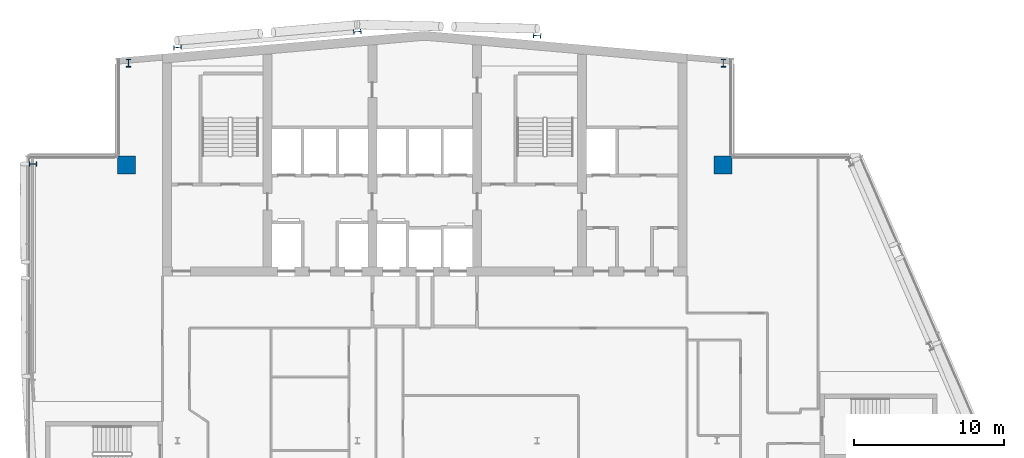
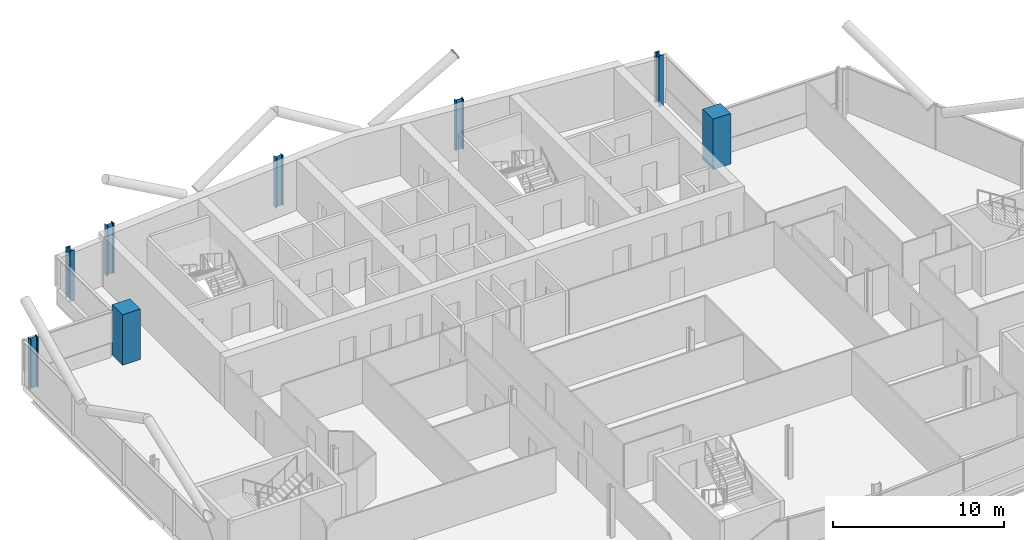
# One storey, part 3 of 27: 8 columns.
"""IFC4 building model written with IfcOpenShell, lengths in metres."""

from ifc_helpers import new_model, si_unit, direction, frame, origin, origin_2d, place, context, subcontext, project, spatial, rectangle, i_section, extrude, material, material_profile, profile_set, type_object, element, save


model = new_model("IFC4")

# Units and contexts
model_context = context("Model", 3, precision=1e-05, world=origin(), true_north=direction((0.0, 1.0)))
body_context = subcontext(model_context, "Body", "Model", "MODEL_VIEW")
ifc_project = project(units=[si_unit("LENGTHUNIT", "METRE"), si_unit("AREAUNIT", "SQUARE_METRE"), si_unit("VOLUMEUNIT", "CUBIC_METRE"), si_unit("PLANEANGLEUNIT", "RADIAN"), si_unit("MASSUNIT", "GRAM", prefix="KILO")], contexts=[model_context])

# Site, building, storey
site_placement = place(None, origin())
site = spatial("IfcSite", under=ifc_project, at=site_placement, CompositionType="ELEMENT")
building_placement = place(site_placement, origin())
building = spatial("IfcBuilding", under=site, at=building_placement, Name="Wharfspan Tower", CompositionType="ELEMENT")
storey_placement = place(building_placement, frame((0.0, 0.0, 221.5)))
storey = spatial("IfcBuildingStorey", under=building, at=storey_placement, Name="L55", CompositionType="ELEMENT", Elevation=221.5)

# Columns
ifc_material_1 = material(Name="Steel S355J2", Category="steel")
ifc_material_profile_1 = material_profile(ifc_material_1, i_section(OverallWidth=0.300049, OverallDepth=0.5, WebThickness=0.014404, FlangeThickness=0.028076, FilletRadius=0.0271, at=origin_2d()))
ifc_profile_set_1 = profile_set([ifc_material_profile_1], Name="Steel S355J2")
column_type_1 = type_object("IfcColumnType", Name="Column HEB 500", PredefinedType="COLUMN", material=ifc_profile_set_1)
for number, where, z_axis, x_axis, name in (
    (1, (24.0, 49.234863, 0.0), (0.0, 0.0, 1.0), (-0.087156, 0.996197, 0.0), "Rear column R.1 L55"),
    (2, (36.0, 50.284668, 0.0), (0.0, 0.0, 1.0), (-0.087156, 0.996197, 0.0), "Rear column R.2 L55"),
    (3, (48.0, 50.022217, 0.0), (0.0, 0.0, 1.0), (0.087156, 0.996197, 0.0), "Rear column R.3 L55"),
):
    element("IfcColumn", number, at=place(storey_placement, frame(where, z_axis=z_axis, x_axis=x_axis)), inside=storey, type_object=column_type_1, Name=name, PredefinedType="COLUMN", context=body_context, shape_type="SweptSolid", body=[
        extrude(i_section(OverallWidth=0.300049, OverallDepth=0.5, WebThickness=0.014404, FlangeThickness=0.028076, FilletRadius=0.0271, at=origin_2d()), origin(), (0.0, 0.0, 1.0), 3.600098),
    ])
ifc_material_profile_2 = material_profile(ifc_material_1, i_section(OverallWidth=0.305908, OverallDepth=0.523926, WebThickness=0.020996, FlangeThickness=0.040039, FilletRadius=0.0271, at=origin_2d()))
ifc_profile_set_2 = profile_set([ifc_material_profile_2], Name="Steel S355J2")
column_type_2 = type_object("IfcColumnType", Name="Column HEM 500", PredefinedType="COLUMN", material=ifc_profile_set_2)
for number, where, z_axis, x_axis, name in (
    (4, (60.422119, 48.189453, 0.0), (0.0, 0.0, 1.0), (1.0, 0.0, 0.0), "Perimeter column PNRE-V.1 L55"),
    (5, (20.731201, 48.189941, 0.0), (0.0, 0.0, 1.0), (-1.0, 0.0, 0.0), "Perimeter column PNRW-V.1 L55"),
    (6, (14.356934, 41.459717, 0.0), (0.0, 0.0, 1.0), (0.0, 1.0, 0.0), "Perimeter column PNRW-H.1 L55"),
):
    element("IfcColumn", number, at=place(storey_placement, frame(where, z_axis=z_axis, x_axis=x_axis)), inside=storey, type_object=column_type_2, Name=name, PredefinedType="COLUMN", context=body_context, shape_type="SweptSolid", body=[
        extrude(i_section(OverallWidth=0.305908, OverallDepth=0.523926, WebThickness=0.020996, FlangeThickness=0.040039, FilletRadius=0.0271, at=origin_2d()), origin(), (0.0, 0.0, 1.0), 3.600098),
    ])
ifc_material_2 = material(Name="Concrete C50/60", Category="concrete")
ifc_material_profile_3 = material_profile(ifc_material_2, rectangle(XDim=1.199951, YDim=1.199951, at=origin_2d()))
ifc_profile_set_3 = profile_set([ifc_material_profile_3], Name="Concrete C50/60")
column_type_3 = type_object("IfcColumnType", Name="Mega column 1200 C50/60", PredefinedType="COLUMN", material=ifc_profile_set_3)
for number, where, z_axis, x_axis, name in (
    (7, (20.600098, 41.399902, 0.0), (0.0, 0.0, 1.0), (1.0, 0.0, 0.0), "Mega column MC2 L55"),
    (8, (60.399902, 41.399902, 0.0), (0.0, 0.0, 1.0), (1.0, 0.0, 0.0), "Mega column MC3 L55"),
):
    element("IfcColumn", number, at=place(storey_placement, frame(where, z_axis=z_axis, x_axis=x_axis)), inside=storey, type_object=column_type_3, Name=name, PredefinedType="COLUMN", context=body_context, shape_type="SweptSolid", body=[
        extrude(rectangle(XDim=1.199951, YDim=1.199951, at=origin_2d()), origin(), (0.0, 0.0, 1.0), 3.600098),
    ])

save(model, "model.ifc")
